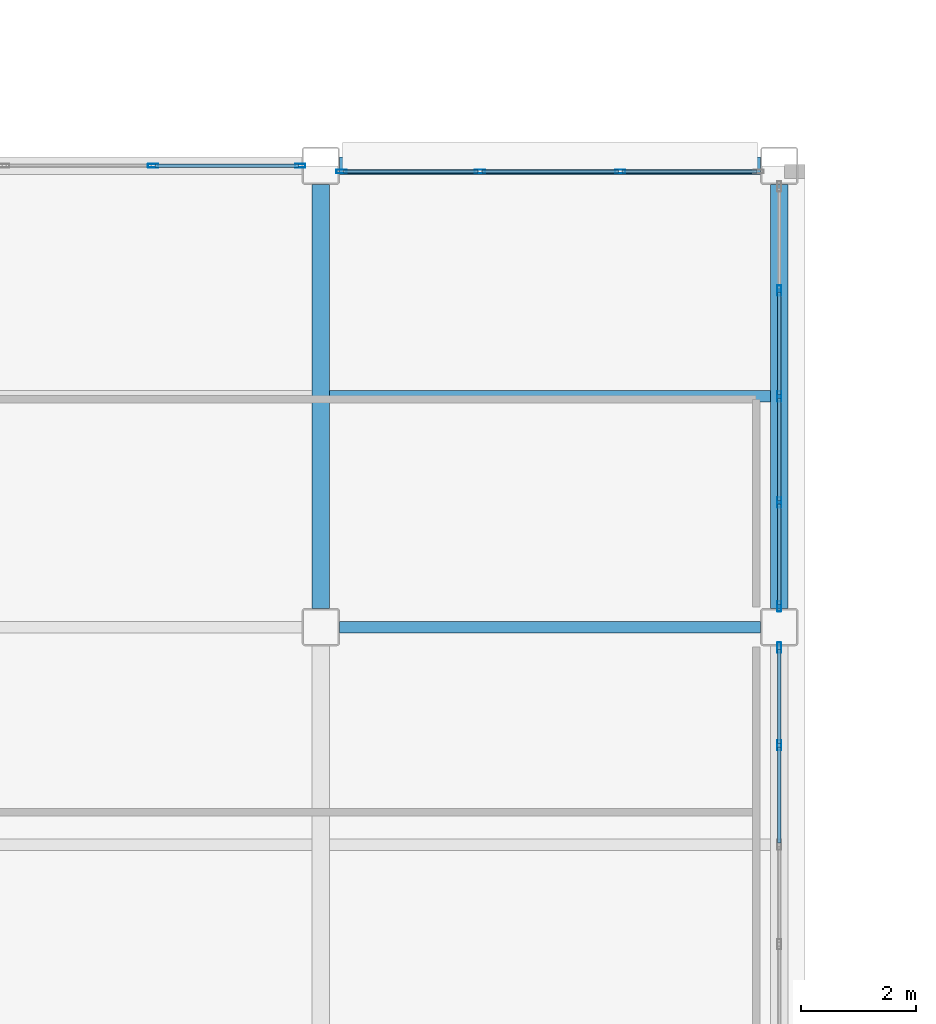
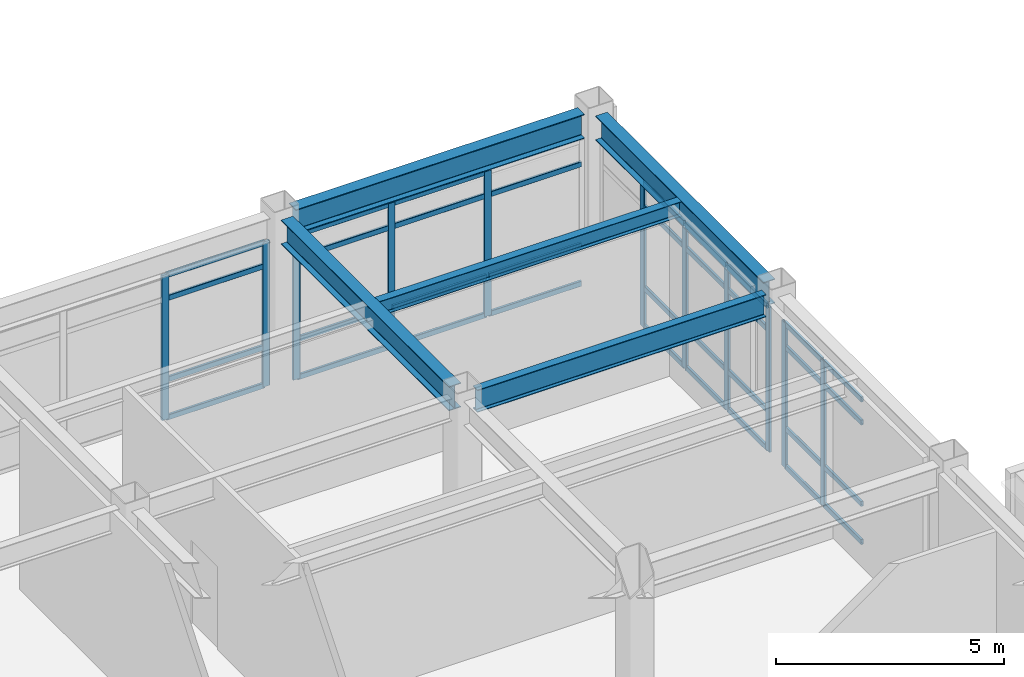
# One storey, part 61 of 172: 46 members, 5 beams, 4 elements without a shape of their own.
"""IFC4 building model written with IfcOpenShell, lengths in metres."""

import ifcopenshell
import ifcopenshell.guid

model = None  # the IFC model being written
_history = None  # IfcOwnerHistory: only IFC2X3 demands one
_inside = {}  # id of a spatial element -> (the spatial element, [elements in it])
_under = {}  # id of a project, library or spatial element -> (it, [spatial elements below it])
_declared = {}  # id of a project -> (the project, [libraries it declares])
_typed = {}  # id of a type object -> (the type object, [elements of that type])
_made_of = {}  # id of a material, layer set ... -> (it, [elements and type objects made of it])


def new_model(schema):
    """Start an empty IFC model of exactly this schema.

    Asked for "IFC4X3", IfcOpenShell would pick the latest addendum, in which some entities
    have other attributes; the version numbers below select the first issue.
    IFC2X3 requires an IfcOwnerHistory on every rooted entity: one is made here for all.
    """
    global model, _history
    if schema == "IFC4X3":
        model = ifcopenshell.file(schema_version=(4, 3, 0, 0))
    else:
        model = ifcopenshell.file(schema=schema)
    _inside.clear()
    _under.clear()
    _declared.clear()
    _typed.clear()
    _made_of.clear()
    _history = None
    if model.schema == "IFC2X3":
        org = make("IfcOrganization", Name="unknown")
        user = make(
            "IfcPersonAndOrganization",
            ThePerson=make("IfcPerson", FamilyName="unknown"),
            TheOrganization=org,
        )
        app = make(
            "IfcApplication",
            ApplicationDeveloper=org,
            Version="unknown",
            ApplicationFullName="unknown",
            ApplicationIdentifier="unknown",
        )
        _history = make(
            "IfcOwnerHistory",
            OwningUser=user,
            OwningApplication=app,
            ChangeAction="ADDED",
            CreationDate=0,
        )
    return model


def make(cls, **values):
    """One entity of the class cls with the attributes given. An attribute that is None is left unset."""
    return model.create_entity(
        cls, **{name: value for name, value in values.items() if value is not None}
    )


def rooted(cls, **values):
    """An entity with a GlobalId (a new one), such as an element, a storey or a relation."""
    return make(cls, GlobalId=ifcopenshell.guid.new(), OwnerHistory=_history, **values)


def si_unit(unit_type, name, prefix=None):
    """IfcSIUnit, for example si_unit("LENGTHUNIT", "METRE", prefix="MILLI")."""
    return make("IfcSIUnit", UnitType=unit_type, Prefix=prefix, Name=name)


def assignment(units):
    """IfcUnitAssignment: the units of a project."""
    return None if units is None else make("IfcUnitAssignment", Units=units)


def point(xyz):
    """IfcCartesianPoint."""
    return None if xyz is None else make("IfcCartesianPoint", Coordinates=xyz)


def direction(xyz):
    """IfcDirection."""
    return None if xyz is None else make("IfcDirection", DirectionRatios=xyz)


def frame(location, z_axis=None, x_axis=None):
    """IfcAxis2Placement3D, a coordinate frame: its origin and axes. An axis left out is left unset."""
    return make(
        "IfcAxis2Placement3D",
        Location=point(location),
        Axis=direction(z_axis),
        RefDirection=direction(x_axis),
    )


def frame_2d(location, x_axis=None):
    """IfcAxis2Placement2D, a coordinate frame in the plane: its origin and x axis."""
    return make(
        "IfcAxis2Placement2D", Location=point(location), RefDirection=direction(x_axis)
    )


def origin():
    """The frame at (0, 0, 0) with its axes left unset."""
    return frame((0.0, 0.0, 0.0))


def origin_2d():
    """The frame at (0, 0) in the plane with its x axis left unset."""
    return frame_2d((0.0, 0.0))


def place(relative_to, where):
    """IfcLocalPlacement: puts the frame where relative to a parent placement (None: the world)."""
    return make(
        "IfcLocalPlacement", PlacementRelTo=relative_to, RelativePlacement=where
    )


def context(
    kind, dimensions, precision=None, world=None, true_north=None, identifier=None
):
    """IfcGeometricRepresentationContext, for example the 3D "Model" context."""
    return make(
        "IfcGeometricRepresentationContext",
        ContextIdentifier=identifier,
        ContextType=kind,
        CoordinateSpaceDimension=dimensions,
        Precision=precision,
        WorldCoordinateSystem=world,
        TrueNorth=true_north,
    )


def subcontext(parent, identifier, kind, view, scale=None):
    """IfcGeometricRepresentationSubContext, for example "Body" below "Model"."""
    return make(
        "IfcGeometricRepresentationSubContext",
        ContextIdentifier=identifier,
        ContextType=kind,
        ParentContext=parent,
        TargetScale=scale,
        TargetView=view,
    )


def project(units=None, contexts=None):
    """IfcProject with its units and contexts."""
    return rooted(
        "IfcProject",
        Name="project",
        RepresentationContexts=contexts,
        UnitsInContext=assignment(units),
    )


def spatial(cls, under=None, at=None, **own):
    """A site, building, storey or space (cls), placed at a placement, below another one or the project."""
    s = rooted(cls, ObjectPlacement=at, **own)
    if under is not None:
        _under.setdefault(under.id(), (under, []))[1].append(s)
    return s


def profile(cls, at=None, kind="AREA", **sizes):
    """A parametric profile (cls). Its sizes go by their IFC names, for example OverallWidth=200.0."""
    return make(cls, ProfileType=kind, Position=at, **sizes)


def hollow_rectangle(**sizes):
    """IfcRectangleHollowProfileDef."""
    return profile("IfcRectangleHollowProfileDef", **sizes)


def i_section(**sizes):
    """IfcIShapeProfileDef."""
    return profile("IfcIShapeProfileDef", **sizes)


def extrude(swept, where, along, depth):
    """IfcExtrudedAreaSolid: the profile swept, set in the frame where, extruded along a direction by depth."""
    return make(
        "IfcExtrudedAreaSolid",
        SweptArea=swept,
        Position=where,
        ExtrudedDirection=direction(along),
        Depth=depth,
    )


def shape(context_of_items, identifier, shape_type, items):
    """IfcShapeRepresentation: the items that make up one representation, for example the "Body"."""
    return make(
        "IfcShapeRepresentation",
        ContextOfItems=context_of_items,
        RepresentationIdentifier=identifier,
        RepresentationType=shape_type,
        Items=items,
    )


def material(Name=None, Category=None):
    """IfcMaterial."""
    return make("IfcMaterial", Name=Name, Category=Category)


def layer(
    of_material, thickness, ventilated=None, Name=None, Category=None, Priority=None
):
    """IfcMaterialLayer: one layer of a wall or slab, of a material (None: an air gap)."""
    return make(
        "IfcMaterialLayer",
        Material=of_material,
        LayerThickness=thickness,
        IsVentilated=ventilated,
        Name=Name,
        Category=Category,
        Priority=Priority,
    )


def layer_set(layers, Name=None):
    """IfcMaterialLayerSet."""
    return make("IfcMaterialLayerSet", MaterialLayers=layers, LayerSetName=Name)


def material_profile(
    of_material, cross_section, Name=None, Category=None, Priority=None
):
    """IfcMaterialProfile: a cross section and its material."""
    return make(
        "IfcMaterialProfile",
        Name=Name,
        Material=of_material,
        Profile=cross_section,
        Priority=Priority,
        Category=Category,
    )


def profile_set(profiles, Name=None, composite=None):
    """IfcMaterialProfileSet."""
    return make(
        "IfcMaterialProfileSet",
        Name=Name,
        MaterialProfiles=profiles,
        CompositeProfile=composite,
    )


def made_of(thing, what):
    """Note that an element or type object is made of a material, layer set ...; save() writes the relation."""
    if what is not None:
        _made_of.setdefault(what.id(), (what, []))[1].append(thing)
    return thing


def type_object(cls, material=None, **own):
    """A type object (cls), such as IfcWallType, which elements share."""
    return made_of(rooted(cls, **own), material)


def element(
    cls,
    number,
    at=None,
    inside=None,
    cuts=None,
    type_object=None,
    material=None,
    context=None,
    identifier="Body",
    shape_type=None,
    held_by="IfcProductDefinitionShape",
    body=None,
    shapes=None,
    **own,
):
    """One element of the class cls, such as IfcWall. Its Tag is "e" and its number.

    at: its placement. inside: the storey or other place that contains it. cuts: it is an
    opening in that element (IfcRelVoidsElement). A single representation is given by context,
    identifier, shape_type and body (its items); several are given by shapes. held_by: the class
    of the entity that holds the representations. save() writes the other relations.
    """
    e = rooted(cls, Tag="e%d" % number, ObjectPlacement=at, **own)
    if body is not None:
        shapes = [shape(context, identifier, shape_type, body)]
    if shapes is not None:
        e.Representation = make(held_by, Representations=shapes)
    if inside is not None:
        _inside.setdefault(inside.id(), (inside, []))[1].append(e)
    if cuts is not None:
        rooted(
            "IfcRelVoidsElement", RelatingBuildingElement=cuts, RelatedOpeningElement=e
        )
    if type_object is not None:
        _typed.setdefault(type_object.id(), (type_object, []))[1].append(e)
    return made_of(e, material)


def aggregate(whole, parts):
    """IfcRelAggregates: a whole, such as a stair, and the parts it consists of."""
    return rooted("IfcRelAggregates", RelatingObject=whole, RelatedObjects=parts)


def save(model, path):
    """Write the relations noted so far, then the file.

    IfcRelAggregates (storeys below a building ...), IfcRelContainedInSpatialStructure (elements
    in a storey), IfcRelDefinesByType, IfcRelAssociatesMaterial and IfcRelDeclares: one each for
    every whole, place, type object, material and project.
    """
    for whole, parts in _under.values():
        aggregate(whole, parts)
    for where, things in _inside.values():
        rooted(
            "IfcRelContainedInSpatialStructure",
            RelatedElements=things,
            RelatingStructure=where,
        )
    for kind, things in _typed.values():
        rooted("IfcRelDefinesByType", RelatedObjects=things, RelatingType=kind)
    for what, things in _made_of.values():
        rooted("IfcRelAssociatesMaterial", RelatedObjects=things, RelatingMaterial=what)
    for by, libraries in _declared.values():
        rooted("IfcRelDeclares", RelatingContext=by, RelatedDefinitions=libraries)
    model.write(path)


model = new_model("IFC4")

# Units and contexts
model_context = context("Model", 3, precision=1e-05, world=origin(), true_north=direction((0.0, 1.0)))
body_context = subcontext(model_context, "Body", "Model", "MODEL_VIEW")
ifc_project = project(units=[si_unit("LENGTHUNIT", "METRE"), si_unit("AREAUNIT", "SQUARE_METRE"), si_unit("VOLUMEUNIT", "CUBIC_METRE"), si_unit("PLANEANGLEUNIT", "RADIAN"), si_unit("MASSUNIT", "GRAM", prefix="KILO")], contexts=[model_context])

# Site, building, storey
site_placement = place(None, origin())
site = spatial("IfcSite", under=ifc_project, at=site_placement, CompositionType="ELEMENT")
building_placement = place(site_placement, origin())
building = spatial("IfcBuilding", under=site, at=building_placement, Name="Kazehara Bluff Congress Hotel", CompositionType="ELEMENT")
storey_placement = place(building_placement, frame((0.0, 0.0, 5.39990234375)))
storey = spatial("IfcBuildingStorey", under=building, at=storey_placement, Name="L01", CompositionType="ELEMENT", Elevation=5.39990234375)

# Curtain wall, members
ifc_material_1 = material(Name="Anodised aluminium", Category="aluminium")
ifc_layer_1 = layer(ifc_material_1, 0.159912109375)
ifc_layer_set_1 = layer_set([ifc_layer_1], Name="Anodised aluminium")
curtain_wall_type_1 = type_object("IfcCurtainWallType", Name="TP-CW-55", PredefinedType="NOTDEFINED", material=ifc_layer_set_1)
curtain_wall_1_placement = place(storey_placement, origin())
curtain_wall_1 = element("IfcCurtainWall", 1, at=curtain_wall_1_placement, inside=storey, type_object=curtain_wall_type_1, Name="L01 curtain wall CW-55 CW-V4-L01-X10920-4122", PredefinedType="NOTDEFINED")
ifc_material_2 = material(Name="Anodised aluminium", Category="aluminium")
ifc_material_profile_1 = material_profile(ifc_material_2, hollow_rectangle(XDim=0.06494140625, YDim=0.179931640625, WallThickness=0.00390625, InnerFilletRadius=0.00390625, OuterFilletRadius=0.008056640625, at=origin_2d()))
ifc_profile_set_1 = profile_set([ifc_material_profile_1], Name="Anodised aluminium")
member_type_1 = type_object("IfcMemberType", Name="TP-CWM-02", PredefinedType="MULLION", material=ifc_profile_set_1)
member_1_placement = place(storey_placement, frame((109.199951171875, 46.39990234375, 0.0), z_axis=(0.0, 0.0, 1.0), x_axis=(-1.0, 0.0, 0.0)))
member_1 = element("IfcMember", 2, at=member_1_placement, type_object=member_type_1, Name="CW-55 mullion 4", PredefinedType="MULLION", context=body_context, shape_type="SweptSolid", body=[
    extrude(hollow_rectangle(XDim=0.06494140625, YDim=0.179931640625, WallThickness=0.00390625, InnerFilletRadius=0.00390625, OuterFilletRadius=0.008056640625, at=origin_2d()), origin(), (0.0, 0.0, 1.0), 3.875),
])
member_2_placement = place(storey_placement, frame((109.199951171875, 48.092529296875, 0.0), z_axis=(0.0, 0.0, 1.0), x_axis=(-1.0, 0.0, 0.0)))
member_2 = element("IfcMember", 3, at=member_2_placement, type_object=member_type_1, Name="CW-55 mullion 5", PredefinedType="MULLION", context=body_context, shape_type="SweptSolid", body=[
    extrude(hollow_rectangle(XDim=0.06494140625, YDim=0.179931640625, WallThickness=0.00390625, InnerFilletRadius=0.00390625, OuterFilletRadius=0.008056640625, at=origin_2d()), origin(), (0.0, 0.0, 1.0), 3.875),
])

ifc_material_3 = material(Name="Anodised aluminium", Category="aluminium")
ifc_layer_2 = layer(ifc_material_3, 0.159912109375)
ifc_layer_set_2 = layer_set([ifc_layer_2], Name="Anodised aluminium")
curtain_wall_type_2 = type_object("IfcCurtainWallType", Name="TP-CW-56", PredefinedType="NOTDEFINED", material=ifc_layer_set_2)
curtain_wall_2_placement = place(storey_placement, origin())
curtain_wall_2 = element("IfcCurtainWall", 4, at=curtain_wall_2_placement, inside=storey, type_object=curtain_wall_type_2, Name="L01 curtain wall CW-56 CW-V4-L01-X10920-4878", PredefinedType="NOTDEFINED")
member_3_placement = place(storey_placement, frame((109.199951171875, 48.8076171875, 0.0), z_axis=(0.0, 0.0, 1.0), x_axis=(-1.0, 0.0, 0.0)))
member_3 = element("IfcMember", 5, at=member_3_placement, type_object=member_type_1, Name="CW-56 mullion 1", PredefinedType="MULLION", context=body_context, shape_type="SweptSolid", body=[
    extrude(hollow_rectangle(XDim=0.06494140625, YDim=0.179931640625, WallThickness=0.00390625, InnerFilletRadius=0.00390625, OuterFilletRadius=0.008056640625, at=origin_2d()), origin(), (0.0, 0.0, 1.0), 3.875),
])
member_4_placement = place(storey_placement, frame((109.199951171875, 50.612548828125, 0.0), z_axis=(0.0, 0.0, 1.0), x_axis=(-1.0, 0.0, 0.0)))
member_4 = element("IfcMember", 6, at=member_4_placement, type_object=member_type_1, Name="CW-56 mullion 2", PredefinedType="MULLION", context=body_context, shape_type="SweptSolid", body=[
    extrude(hollow_rectangle(XDim=0.06494140625, YDim=0.179931640625, WallThickness=0.00390625, InnerFilletRadius=0.00390625, OuterFilletRadius=0.008056640625, at=origin_2d()), origin(), (0.0, 0.0, 1.0), 3.875),
])
member_5_placement = place(storey_placement, frame((109.199951171875, 52.449951171875, 0.0), z_axis=(0.0, 0.0, 1.0), x_axis=(-1.0, 0.0, 0.0)))
member_5 = element("IfcMember", 7, at=member_5_placement, type_object=member_type_1, Name="CW-56 mullion 3", PredefinedType="MULLION", context=body_context, shape_type="SweptSolid", body=[
    extrude(hollow_rectangle(XDim=0.06494140625, YDim=0.179931640625, WallThickness=0.00390625, InnerFilletRadius=0.00390625, OuterFilletRadius=0.008056640625, at=origin_2d()), origin(), (0.0, 0.0, 1.0), 3.875),
])
member_6_placement = place(storey_placement, frame((109.199951171875, 54.28759765625, 0.0), z_axis=(0.0, 0.0, 1.0), x_axis=(-1.0, 0.0, 0.0)))
member_6 = element("IfcMember", 8, at=member_6_placement, type_object=member_type_1, Name="CW-56 mullion 4", PredefinedType="MULLION", context=body_context, shape_type="SweptSolid", body=[
    extrude(hollow_rectangle(XDim=0.06494140625, YDim=0.179931640625, WallThickness=0.00390625, InnerFilletRadius=0.00390625, OuterFilletRadius=0.008056640625, at=origin_2d()), origin(), (0.0, 0.0, 1.0), 3.875),
])

ifc_material_4 = material(Name="Anodised aluminium", Category="aluminium")
ifc_layer_3 = layer(ifc_material_4, 0.159912109375)
ifc_layer_set_3 = layer_set([ifc_layer_3], Name="Anodised aluminium")
curtain_wall_type_3 = type_object("IfcCurtainWallType", Name="TP-CW-24", PredefinedType="NOTDEFINED", material=ifc_layer_set_3)
curtain_wall_3_placement = place(storey_placement, origin())
curtain_wall_3 = element("IfcCurtainWall", 9, at=curtain_wall_3_placement, inside=storey, type_object=curtain_wall_type_3, Name="L01 curtain wall CW-24 CW-V4-L01-Y5645-9318", PredefinedType="NOTDEFINED")
member_7_placement = place(storey_placement, frame((98.341552734375, 56.449951171875, 0.0), z_axis=(0.0, 0.0, 1.0), x_axis=(0.0, 1.0, 0.0)))
member_7 = element("IfcMember", 10, at=member_7_placement, type_object=member_type_1, Name="CW-24 mullion 3", PredefinedType="MULLION", context=body_context, shape_type="SweptSolid", body=[
    extrude(hollow_rectangle(XDim=0.06494140625, YDim=0.179931640625, WallThickness=0.00390625, InnerFilletRadius=0.00390625, OuterFilletRadius=0.008056640625, at=origin_2d()), origin(), (0.0, 0.0, 1.0), 3.875),
])
member_8_placement = place(storey_placement, frame((100.892578125, 56.449951171875, 0.0), z_axis=(0.0, 0.0, 1.0), x_axis=(0.0, 1.0, 0.0)))
member_8 = element("IfcMember", 11, at=member_8_placement, type_object=member_type_1, Name="CW-24 mullion 4", PredefinedType="MULLION", context=body_context, shape_type="SweptSolid", body=[
    extrude(hollow_rectangle(XDim=0.06494140625, YDim=0.179931640625, WallThickness=0.00390625, InnerFilletRadius=0.00390625, OuterFilletRadius=0.008056640625, at=origin_2d()), origin(), (0.0, 0.0, 1.0), 3.875),
])

ifc_material_5 = material(Name="Anodised aluminium", Category="aluminium")
ifc_layer_4 = layer(ifc_material_5, 0.159912109375)
ifc_layer_set_4 = layer_set([ifc_layer_4], Name="Anodised aluminium")
curtain_wall_type_4 = type_object("IfcCurtainWallType", Name="TP-CW-80", PredefinedType="NOTDEFINED", material=ifc_layer_set_4)
curtain_wall_4_placement = place(storey_placement, origin())
curtain_wall_4 = element("IfcCurtainWall", 12, at=curtain_wall_4_placement, inside=storey, type_object=curtain_wall_type_4, Name="L01 curtain wall CW-80 CW-ENC-V4-L01-10522-5635", PredefinedType="NOTDEFINED")
member_9_placement = place(storey_placement, frame((101.607421875, 56.35009765625, 0.0), z_axis=(0.0, 0.0, 1.0), x_axis=(0.0, 1.0, 0.0)))
member_9 = element("IfcMember", 13, at=member_9_placement, type_object=member_type_1, Name="CW-80 mullion 1", PredefinedType="MULLION", context=body_context, shape_type="SweptSolid", body=[
    extrude(hollow_rectangle(XDim=0.06494140625, YDim=0.179931640625, WallThickness=0.00390625, InnerFilletRadius=0.00390625, OuterFilletRadius=0.008056640625, at=origin_2d()), origin(), (0.0, 0.0, 1.0), 3.875),
])
member_10_placement = place(storey_placement, frame((104.00830078125, 56.35009765625, 0.0), z_axis=(0.0, 0.0, 1.0), x_axis=(0.0, 1.0, 0.0)))
member_10 = element("IfcMember", 14, at=member_10_placement, type_object=member_type_1, Name="CW-80 mullion 2", PredefinedType="MULLION", context=body_context, shape_type="SweptSolid", body=[
    extrude(hollow_rectangle(XDim=0.06494140625, YDim=0.179931640625, WallThickness=0.00390625, InnerFilletRadius=0.00390625, OuterFilletRadius=0.008056640625, at=origin_2d()), origin(), (0.0, 0.0, 1.0), 3.875),
])
member_11_placement = place(storey_placement, frame((106.441650390625, 56.35009765625, 0.0), z_axis=(0.0, 0.0, 1.0), x_axis=(0.0, 1.0, 0.0)))
member_11 = element("IfcMember", 15, at=member_11_placement, type_object=member_type_1, Name="CW-80 mullion 3", PredefinedType="MULLION", context=body_context, shape_type="SweptSolid", body=[
    extrude(hollow_rectangle(XDim=0.06494140625, YDim=0.179931640625, WallThickness=0.00390625, InnerFilletRadius=0.00390625, OuterFilletRadius=0.008056640625, at=origin_2d()), origin(), (0.0, 0.0, 1.0), 3.875),
])

# Member
ifc_material_6 = material(Name="Anodised aluminium", Category="aluminium")
ifc_material_profile_2 = material_profile(ifc_material_6, hollow_rectangle(XDim=0.06494140625, YDim=0.139892578125, WallThickness=0.00390625, InnerFilletRadius=0.00390625, OuterFilletRadius=0.008056640625, at=origin_2d()))
ifc_profile_set_2 = profile_set([ifc_material_profile_2], Name="Anodised aluminium")
member_type_2 = type_object("IfcMemberType", Name="TP-CWT-02", PredefinedType="USERDEFINED", material=ifc_profile_set_2)
member_12_placement = place(storey_placement, frame((109.199951171875, 44.70751953125, 0.03271484375), z_axis=(0.0, 1.0, 0.0), x_axis=(-1.0, 0.0, 0.0)))
member_12 = element("IfcMember", 16, at=member_12_placement, type_object=member_type_2, Name="CW-55 transom 3.1", ObjectType="TRANSOM", PredefinedType="USERDEFINED", context=body_context, shape_type="SweptSolid", body=[
    extrude(hollow_rectangle(XDim=0.06494140625, YDim=0.139892578125, WallThickness=0.00390625, InnerFilletRadius=0.00390625, OuterFilletRadius=0.008056640625, at=origin_2d()), origin(), (0.0, 0.0, 1.0), 1.659912109375),
])

member_13_placement = place(storey_placement, frame((109.199951171875, 44.70751953125, 1.050048828125), z_axis=(0.0, 1.0, 0.0), x_axis=(-1.0, 0.0, 0.0)))
member_13 = element("IfcMember", 17, at=member_13_placement, type_object=member_type_2, Name="CW-55 transom 3.2", ObjectType="TRANSOM", PredefinedType="USERDEFINED", context=body_context, shape_type="SweptSolid", body=[
    extrude(hollow_rectangle(XDim=0.06494140625, YDim=0.139892578125, WallThickness=0.00390625, InnerFilletRadius=0.00390625, OuterFilletRadius=0.008056640625, at=origin_2d()), origin(), (0.0, 0.0, 1.0), 1.659912109375),
])

member_14_placement = place(storey_placement, frame((109.199951171875, 44.70751953125, 3.22509765625), z_axis=(0.0, 1.0, 0.0), x_axis=(-1.0, 0.0, 0.0)))
member_14 = element("IfcMember", 18, at=member_14_placement, type_object=member_type_2, Name="CW-55 transom 3.3", ObjectType="TRANSOM", PredefinedType="USERDEFINED", context=body_context, shape_type="SweptSolid", body=[
    extrude(hollow_rectangle(XDim=0.06494140625, YDim=0.139892578125, WallThickness=0.00390625, InnerFilletRadius=0.00390625, OuterFilletRadius=0.008056640625, at=origin_2d()), origin(), (0.0, 0.0, 1.0), 1.659912109375),
])

member_15_placement = place(storey_placement, frame((109.199951171875, 44.70751953125, 3.842529296875), z_axis=(0.0, 1.0, 0.0), x_axis=(-1.0, 0.0, 0.0)))
member_15 = element("IfcMember", 19, at=member_15_placement, type_object=member_type_2, Name="CW-55 transom 3.4", ObjectType="TRANSOM", PredefinedType="USERDEFINED", context=body_context, shape_type="SweptSolid", body=[
    extrude(hollow_rectangle(XDim=0.06494140625, YDim=0.139892578125, WallThickness=0.00390625, InnerFilletRadius=0.00390625, OuterFilletRadius=0.008056640625, at=origin_2d()), origin(), (0.0, 0.0, 1.0), 1.659912109375),
])

member_16_placement = place(storey_placement, frame((109.199951171875, 46.4326171875, 0.03271484375), z_axis=(0.0, 1.0, 0.0), x_axis=(-1.0, 0.0, 0.0)))
member_16 = element("IfcMember", 20, at=member_16_placement, type_object=member_type_2, Name="CW-55 transom 4.1", ObjectType="TRANSOM", PredefinedType="USERDEFINED", context=body_context, shape_type="SweptSolid", body=[
    extrude(hollow_rectangle(XDim=0.06494140625, YDim=0.139892578125, WallThickness=0.00390625, InnerFilletRadius=0.00390625, OuterFilletRadius=0.008056640625, at=origin_2d()), origin(), (0.0, 0.0, 1.0), 1.62744140625),
])

member_17_placement = place(storey_placement, frame((109.199951171875, 46.4326171875, 1.050048828125), z_axis=(0.0, 1.0, 0.0), x_axis=(-1.0, 0.0, 0.0)))
member_17 = element("IfcMember", 21, at=member_17_placement, type_object=member_type_2, Name="CW-55 transom 4.2", ObjectType="TRANSOM", PredefinedType="USERDEFINED", context=body_context, shape_type="SweptSolid", body=[
    extrude(hollow_rectangle(XDim=0.06494140625, YDim=0.139892578125, WallThickness=0.00390625, InnerFilletRadius=0.00390625, OuterFilletRadius=0.008056640625, at=origin_2d()), origin(), (0.0, 0.0, 1.0), 1.62744140625),
])

member_18_placement = place(storey_placement, frame((109.199951171875, 46.4326171875, 3.22509765625), z_axis=(0.0, 1.0, 0.0), x_axis=(-1.0, 0.0, 0.0)))
member_18 = element("IfcMember", 22, at=member_18_placement, type_object=member_type_2, Name="CW-55 transom 4.3", ObjectType="TRANSOM", PredefinedType="USERDEFINED", context=body_context, shape_type="SweptSolid", body=[
    extrude(hollow_rectangle(XDim=0.06494140625, YDim=0.139892578125, WallThickness=0.00390625, InnerFilletRadius=0.00390625, OuterFilletRadius=0.008056640625, at=origin_2d()), origin(), (0.0, 0.0, 1.0), 1.62744140625),
])

member_19_placement = place(storey_placement, frame((109.199951171875, 46.4326171875, 3.842529296875), z_axis=(0.0, 1.0, 0.0), x_axis=(-1.0, 0.0, 0.0)))
member_19 = element("IfcMember", 23, at=member_19_placement, type_object=member_type_2, Name="CW-55 transom 4.4", ObjectType="TRANSOM", PredefinedType="USERDEFINED", context=body_context, shape_type="SweptSolid", body=[
    extrude(hollow_rectangle(XDim=0.06494140625, YDim=0.139892578125, WallThickness=0.00390625, InnerFilletRadius=0.00390625, OuterFilletRadius=0.008056640625, at=origin_2d()), origin(), (0.0, 0.0, 1.0), 1.62744140625),
])

aggregate(curtain_wall_1, [member_1, member_2, member_12, member_13, member_14, member_15, member_16, member_17, member_18, member_19])

member_20_placement = place(storey_placement, frame((109.199951171875, 48.840087890625, 0.03271484375), z_axis=(0.0, 1.0, 0.0), x_axis=(-1.0, 0.0, 0.0)))
member_20 = element("IfcMember", 24, at=member_20_placement, type_object=member_type_2, Name="CW-56 transom 1.1", ObjectType="TRANSOM", PredefinedType="USERDEFINED", context=body_context, shape_type="SweptSolid", body=[
    extrude(hollow_rectangle(XDim=0.06494140625, YDim=0.139892578125, WallThickness=0.00390625, InnerFilletRadius=0.00390625, OuterFilletRadius=0.008056640625, at=origin_2d()), origin(), (0.0, 0.0, 1.0), 1.739990234375),
])

member_21_placement = place(storey_placement, frame((109.199951171875, 48.840087890625, 1.050048828125), z_axis=(0.0, 1.0, 0.0), x_axis=(-1.0, 0.0, 0.0)))
member_21 = element("IfcMember", 25, at=member_21_placement, type_object=member_type_2, Name="CW-56 transom 1.2", ObjectType="TRANSOM", PredefinedType="USERDEFINED", context=body_context, shape_type="SweptSolid", body=[
    extrude(hollow_rectangle(XDim=0.06494140625, YDim=0.139892578125, WallThickness=0.00390625, InnerFilletRadius=0.00390625, OuterFilletRadius=0.008056640625, at=origin_2d()), origin(), (0.0, 0.0, 1.0), 1.739990234375),
])

member_22_placement = place(storey_placement, frame((109.199951171875, 48.840087890625, 3.22509765625), z_axis=(0.0, 1.0, 0.0), x_axis=(-1.0, 0.0, 0.0)))
member_22 = element("IfcMember", 26, at=member_22_placement, type_object=member_type_2, Name="CW-56 transom 1.3", ObjectType="TRANSOM", PredefinedType="USERDEFINED", context=body_context, shape_type="SweptSolid", body=[
    extrude(hollow_rectangle(XDim=0.06494140625, YDim=0.139892578125, WallThickness=0.00390625, InnerFilletRadius=0.00390625, OuterFilletRadius=0.008056640625, at=origin_2d()), origin(), (0.0, 0.0, 1.0), 1.739990234375),
])

member_23_placement = place(storey_placement, frame((109.199951171875, 48.840087890625, 3.842529296875), z_axis=(0.0, 1.0, 0.0), x_axis=(-1.0, 0.0, 0.0)))
member_23 = element("IfcMember", 27, at=member_23_placement, type_object=member_type_2, Name="CW-56 transom 1.4", ObjectType="TRANSOM", PredefinedType="USERDEFINED", context=body_context, shape_type="SweptSolid", body=[
    extrude(hollow_rectangle(XDim=0.06494140625, YDim=0.139892578125, WallThickness=0.00390625, InnerFilletRadius=0.00390625, OuterFilletRadius=0.008056640625, at=origin_2d()), origin(), (0.0, 0.0, 1.0), 1.739990234375),
])

member_24_placement = place(storey_placement, frame((109.199951171875, 50.64501953125, 0.03271484375), z_axis=(0.0, 1.0, 0.0), x_axis=(-1.0, 0.0, 0.0)))
member_24 = element("IfcMember", 28, at=member_24_placement, type_object=member_type_2, Name="CW-56 transom 2.1", ObjectType="TRANSOM", PredefinedType="USERDEFINED", context=body_context, shape_type="SweptSolid", body=[
    extrude(hollow_rectangle(XDim=0.06494140625, YDim=0.139892578125, WallThickness=0.00390625, InnerFilletRadius=0.00390625, OuterFilletRadius=0.008056640625, at=origin_2d()), origin(), (0.0, 0.0, 1.0), 1.7724609375),
])

member_25_placement = place(storey_placement, frame((109.199951171875, 50.64501953125, 1.050048828125), z_axis=(0.0, 1.0, 0.0), x_axis=(-1.0, 0.0, 0.0)))
member_25 = element("IfcMember", 29, at=member_25_placement, type_object=member_type_2, Name="CW-56 transom 2.2", ObjectType="TRANSOM", PredefinedType="USERDEFINED", context=body_context, shape_type="SweptSolid", body=[
    extrude(hollow_rectangle(XDim=0.06494140625, YDim=0.139892578125, WallThickness=0.00390625, InnerFilletRadius=0.00390625, OuterFilletRadius=0.008056640625, at=origin_2d()), origin(), (0.0, 0.0, 1.0), 1.7724609375),
])

member_26_placement = place(storey_placement, frame((109.199951171875, 50.64501953125, 3.22509765625), z_axis=(0.0, 1.0, 0.0), x_axis=(-1.0, 0.0, 0.0)))
member_26 = element("IfcMember", 30, at=member_26_placement, type_object=member_type_2, Name="CW-56 transom 2.3", ObjectType="TRANSOM", PredefinedType="USERDEFINED", context=body_context, shape_type="SweptSolid", body=[
    extrude(hollow_rectangle(XDim=0.06494140625, YDim=0.139892578125, WallThickness=0.00390625, InnerFilletRadius=0.00390625, OuterFilletRadius=0.008056640625, at=origin_2d()), origin(), (0.0, 0.0, 1.0), 1.7724609375),
])

member_27_placement = place(storey_placement, frame((109.199951171875, 50.64501953125, 3.842529296875), z_axis=(0.0, 1.0, 0.0), x_axis=(-1.0, 0.0, 0.0)))
member_27 = element("IfcMember", 31, at=member_27_placement, type_object=member_type_2, Name="CW-56 transom 2.4", ObjectType="TRANSOM", PredefinedType="USERDEFINED", context=body_context, shape_type="SweptSolid", body=[
    extrude(hollow_rectangle(XDim=0.06494140625, YDim=0.139892578125, WallThickness=0.00390625, InnerFilletRadius=0.00390625, OuterFilletRadius=0.008056640625, at=origin_2d()), origin(), (0.0, 0.0, 1.0), 1.7724609375),
])

member_28_placement = place(storey_placement, frame((109.199951171875, 52.482421875, 0.03271484375), z_axis=(0.0, 1.0, 0.0), x_axis=(-1.0, 0.0, 0.0)))
member_28 = element("IfcMember", 32, at=member_28_placement, type_object=member_type_2, Name="CW-56 transom 3.1", ObjectType="TRANSOM", PredefinedType="USERDEFINED", context=body_context, shape_type="SweptSolid", body=[
    extrude(hollow_rectangle(XDim=0.06494140625, YDim=0.139892578125, WallThickness=0.00390625, InnerFilletRadius=0.00390625, OuterFilletRadius=0.008056640625, at=origin_2d()), origin(), (0.0, 0.0, 1.0), 1.7724609375),
])

member_29_placement = place(storey_placement, frame((109.199951171875, 52.482421875, 1.050048828125), z_axis=(0.0, 1.0, 0.0), x_axis=(-1.0, 0.0, 0.0)))
member_29 = element("IfcMember", 33, at=member_29_placement, type_object=member_type_2, Name="CW-56 transom 3.2", ObjectType="TRANSOM", PredefinedType="USERDEFINED", context=body_context, shape_type="SweptSolid", body=[
    extrude(hollow_rectangle(XDim=0.06494140625, YDim=0.139892578125, WallThickness=0.00390625, InnerFilletRadius=0.00390625, OuterFilletRadius=0.008056640625, at=origin_2d()), origin(), (0.0, 0.0, 1.0), 1.7724609375),
])

member_30_placement = place(storey_placement, frame((109.199951171875, 52.482421875, 3.22509765625), z_axis=(0.0, 1.0, 0.0), x_axis=(-1.0, 0.0, 0.0)))
member_30 = element("IfcMember", 34, at=member_30_placement, type_object=member_type_2, Name="CW-56 transom 3.3", ObjectType="TRANSOM", PredefinedType="USERDEFINED", context=body_context, shape_type="SweptSolid", body=[
    extrude(hollow_rectangle(XDim=0.06494140625, YDim=0.139892578125, WallThickness=0.00390625, InnerFilletRadius=0.00390625, OuterFilletRadius=0.008056640625, at=origin_2d()), origin(), (0.0, 0.0, 1.0), 1.7724609375),
])

member_31_placement = place(storey_placement, frame((109.199951171875, 52.482421875, 3.842529296875), z_axis=(0.0, 1.0, 0.0), x_axis=(-1.0, 0.0, 0.0)))
member_31 = element("IfcMember", 35, at=member_31_placement, type_object=member_type_2, Name="CW-56 transom 3.4", ObjectType="TRANSOM", PredefinedType="USERDEFINED", context=body_context, shape_type="SweptSolid", body=[
    extrude(hollow_rectangle(XDim=0.06494140625, YDim=0.139892578125, WallThickness=0.00390625, InnerFilletRadius=0.00390625, OuterFilletRadius=0.008056640625, at=origin_2d()), origin(), (0.0, 0.0, 1.0), 1.7724609375),
])

aggregate(curtain_wall_2, [member_3, member_4, member_5, member_6, member_20, member_21, member_22, member_23, member_24, member_25, member_26, member_27, member_28, member_29, member_30, member_31])

member_32_placement = place(storey_placement, frame((98.374267578125, 56.449951171875, 0.03271484375), z_axis=(1.0, 0.0, 0.0), x_axis=(0.0, 1.0, 0.0)))
member_32 = element("IfcMember", 36, at=member_32_placement, type_object=member_type_2, Name="CW-24 transom 3.1", ObjectType="TRANSOM", PredefinedType="USERDEFINED", context=body_context, shape_type="SweptSolid", body=[
    extrude(hollow_rectangle(XDim=0.06494140625, YDim=0.139892578125, WallThickness=0.00390625, InnerFilletRadius=0.00390625, OuterFilletRadius=0.008056640625, at=origin_2d()), origin(), (0.0, 0.0, 1.0), 2.48583984375),
])

member_33_placement = place(storey_placement, frame((98.374267578125, 56.449951171875, 1.050048828125), z_axis=(1.0, 0.0, 0.0), x_axis=(0.0, 1.0, 0.0)))
member_33 = element("IfcMember", 37, at=member_33_placement, type_object=member_type_2, Name="CW-24 transom 3.2", ObjectType="TRANSOM", PredefinedType="USERDEFINED", context=body_context, shape_type="SweptSolid", body=[
    extrude(hollow_rectangle(XDim=0.06494140625, YDim=0.139892578125, WallThickness=0.00390625, InnerFilletRadius=0.00390625, OuterFilletRadius=0.008056640625, at=origin_2d()), origin(), (0.0, 0.0, 1.0), 2.48583984375),
])

member_34_placement = place(storey_placement, frame((98.374267578125, 56.449951171875, 3.22509765625), z_axis=(1.0, 0.0, 0.0), x_axis=(0.0, 1.0, 0.0)))
member_34 = element("IfcMember", 38, at=member_34_placement, type_object=member_type_2, Name="CW-24 transom 3.3", ObjectType="TRANSOM", PredefinedType="USERDEFINED", context=body_context, shape_type="SweptSolid", body=[
    extrude(hollow_rectangle(XDim=0.06494140625, YDim=0.139892578125, WallThickness=0.00390625, InnerFilletRadius=0.00390625, OuterFilletRadius=0.008056640625, at=origin_2d()), origin(), (0.0, 0.0, 1.0), 2.48583984375),
])

member_35_placement = place(storey_placement, frame((98.374267578125, 56.449951171875, 3.842529296875), z_axis=(1.0, 0.0, 0.0), x_axis=(0.0, 1.0, 0.0)))
member_35 = element("IfcMember", 39, at=member_35_placement, type_object=member_type_2, Name="CW-24 transom 3.4", ObjectType="TRANSOM", PredefinedType="USERDEFINED", context=body_context, shape_type="SweptSolid", body=[
    extrude(hollow_rectangle(XDim=0.06494140625, YDim=0.139892578125, WallThickness=0.00390625, InnerFilletRadius=0.00390625, OuterFilletRadius=0.008056640625, at=origin_2d()), origin(), (0.0, 0.0, 1.0), 2.48583984375),
])

aggregate(curtain_wall_3, [member_7, member_8, member_32, member_33, member_34, member_35])

member_36_placement = place(storey_placement, frame((101.639892578125, 56.35009765625, 0.03271484375), z_axis=(1.0, 0.0, 0.0), x_axis=(0.0, 1.0, 0.0)))
member_36 = element("IfcMember", 40, at=member_36_placement, type_object=member_type_2, Name="CW-80 transom 1.1", ObjectType="TRANSOM", PredefinedType="USERDEFINED", context=body_context, shape_type="SweptSolid", body=[
    extrude(hollow_rectangle(XDim=0.06494140625, YDim=0.139892578125, WallThickness=0.00390625, InnerFilletRadius=0.00390625, OuterFilletRadius=0.008056640625, at=origin_2d()), origin(), (0.0, 0.0, 1.0), 2.3359375),
])

member_37_placement = place(storey_placement, frame((101.639892578125, 56.35009765625, 1.050048828125), z_axis=(1.0, 0.0, 0.0), x_axis=(0.0, 1.0, 0.0)))
member_37 = element("IfcMember", 41, at=member_37_placement, type_object=member_type_2, Name="CW-80 transom 1.2", ObjectType="TRANSOM", PredefinedType="USERDEFINED", context=body_context, shape_type="SweptSolid", body=[
    extrude(hollow_rectangle(XDim=0.06494140625, YDim=0.139892578125, WallThickness=0.00390625, InnerFilletRadius=0.00390625, OuterFilletRadius=0.008056640625, at=origin_2d()), origin(), (0.0, 0.0, 1.0), 2.3359375),
])

member_38_placement = place(storey_placement, frame((101.639892578125, 56.35009765625, 3.22509765625), z_axis=(1.0, 0.0, 0.0), x_axis=(0.0, 1.0, 0.0)))
member_38 = element("IfcMember", 42, at=member_38_placement, type_object=member_type_2, Name="CW-80 transom 1.3", ObjectType="TRANSOM", PredefinedType="USERDEFINED", context=body_context, shape_type="SweptSolid", body=[
    extrude(hollow_rectangle(XDim=0.06494140625, YDim=0.139892578125, WallThickness=0.00390625, InnerFilletRadius=0.00390625, OuterFilletRadius=0.008056640625, at=origin_2d()), origin(), (0.0, 0.0, 1.0), 2.3359375),
])

member_39_placement = place(storey_placement, frame((101.639892578125, 56.35009765625, 3.842529296875), z_axis=(1.0, 0.0, 0.0), x_axis=(0.0, 1.0, 0.0)))
member_39 = element("IfcMember", 43, at=member_39_placement, type_object=member_type_2, Name="CW-80 transom 1.4", ObjectType="TRANSOM", PredefinedType="USERDEFINED", context=body_context, shape_type="SweptSolid", body=[
    extrude(hollow_rectangle(XDim=0.06494140625, YDim=0.139892578125, WallThickness=0.00390625, InnerFilletRadius=0.00390625, OuterFilletRadius=0.008056640625, at=origin_2d()), origin(), (0.0, 0.0, 1.0), 2.3359375),
])

member_40_placement = place(storey_placement, frame((104.040771484375, 56.35009765625, 0.03271484375), z_axis=(1.0, 0.0, 0.0), x_axis=(0.0, 1.0, 0.0)))
member_40 = element("IfcMember", 44, at=member_40_placement, type_object=member_type_2, Name="CW-80 transom 2.1", ObjectType="TRANSOM", PredefinedType="USERDEFINED", context=body_context, shape_type="SweptSolid", body=[
    extrude(hollow_rectangle(XDim=0.06494140625, YDim=0.139892578125, WallThickness=0.00390625, InnerFilletRadius=0.00390625, OuterFilletRadius=0.008056640625, at=origin_2d()), origin(), (0.0, 0.0, 1.0), 2.368408203125),
])

member_41_placement = place(storey_placement, frame((104.040771484375, 56.35009765625, 1.050048828125), z_axis=(1.0, 0.0, 0.0), x_axis=(0.0, 1.0, 0.0)))
member_41 = element("IfcMember", 45, at=member_41_placement, type_object=member_type_2, Name="CW-80 transom 2.2", ObjectType="TRANSOM", PredefinedType="USERDEFINED", context=body_context, shape_type="SweptSolid", body=[
    extrude(hollow_rectangle(XDim=0.06494140625, YDim=0.139892578125, WallThickness=0.00390625, InnerFilletRadius=0.00390625, OuterFilletRadius=0.008056640625, at=origin_2d()), origin(), (0.0, 0.0, 1.0), 2.368408203125),
])

member_42_placement = place(storey_placement, frame((104.040771484375, 56.35009765625, 3.22509765625), z_axis=(1.0, 0.0, 0.0), x_axis=(0.0, 1.0, 0.0)))
member_42 = element("IfcMember", 46, at=member_42_placement, type_object=member_type_2, Name="CW-80 transom 2.3", ObjectType="TRANSOM", PredefinedType="USERDEFINED", context=body_context, shape_type="SweptSolid", body=[
    extrude(hollow_rectangle(XDim=0.06494140625, YDim=0.139892578125, WallThickness=0.00390625, InnerFilletRadius=0.00390625, OuterFilletRadius=0.008056640625, at=origin_2d()), origin(), (0.0, 0.0, 1.0), 2.368408203125),
])

member_43_placement = place(storey_placement, frame((104.040771484375, 56.35009765625, 3.842529296875), z_axis=(1.0, 0.0, 0.0), x_axis=(0.0, 1.0, 0.0)))
member_43 = element("IfcMember", 47, at=member_43_placement, type_object=member_type_2, Name="CW-80 transom 2.4", ObjectType="TRANSOM", PredefinedType="USERDEFINED", context=body_context, shape_type="SweptSolid", body=[
    extrude(hollow_rectangle(XDim=0.06494140625, YDim=0.139892578125, WallThickness=0.00390625, InnerFilletRadius=0.00390625, OuterFilletRadius=0.008056640625, at=origin_2d()), origin(), (0.0, 0.0, 1.0), 2.368408203125),
])

member_44_placement = place(storey_placement, frame((106.47412109375, 56.35009765625, 0.03271484375), z_axis=(1.0, 0.0, 0.0), x_axis=(0.0, 1.0, 0.0)))
member_44 = element("IfcMember", 48, at=member_44_placement, type_object=member_type_2, Name="CW-80 transom 3.1", ObjectType="TRANSOM", PredefinedType="USERDEFINED", context=body_context, shape_type="SweptSolid", body=[
    extrude(hollow_rectangle(XDim=0.06494140625, YDim=0.139892578125, WallThickness=0.00390625, InnerFilletRadius=0.00390625, OuterFilletRadius=0.008056640625, at=origin_2d()), origin(), (0.0, 0.0, 1.0), 2.3359375),
])

member_45_placement = place(storey_placement, frame((106.47412109375, 56.35009765625, 1.050048828125), z_axis=(1.0, 0.0, 0.0), x_axis=(0.0, 1.0, 0.0)))
member_45 = element("IfcMember", 49, at=member_45_placement, type_object=member_type_2, Name="CW-80 transom 3.2", ObjectType="TRANSOM", PredefinedType="USERDEFINED", context=body_context, shape_type="SweptSolid", body=[
    extrude(hollow_rectangle(XDim=0.06494140625, YDim=0.139892578125, WallThickness=0.00390625, InnerFilletRadius=0.00390625, OuterFilletRadius=0.008056640625, at=origin_2d()), origin(), (0.0, 0.0, 1.0), 2.3359375),
])

member_46_placement = place(storey_placement, frame((106.47412109375, 56.35009765625, 3.22509765625), z_axis=(1.0, 0.0, 0.0), x_axis=(0.0, 1.0, 0.0)))
member_46 = element("IfcMember", 50, at=member_46_placement, type_object=member_type_2, Name="CW-80 transom 3.3", ObjectType="TRANSOM", PredefinedType="USERDEFINED", context=body_context, shape_type="SweptSolid", body=[
    extrude(hollow_rectangle(XDim=0.06494140625, YDim=0.139892578125, WallThickness=0.00390625, InnerFilletRadius=0.00390625, OuterFilletRadius=0.008056640625, at=origin_2d()), origin(), (0.0, 0.0, 1.0), 2.3359375),
])

aggregate(curtain_wall_4, [member_9, member_10, member_11, member_36, member_37, member_38, member_39, member_40, member_41, member_42, member_43, member_44, member_45, member_46])

# Beams
ifc_material_7 = material(Name="Steel SN490B", Category="steel")
ifc_material_profile_3 = material_profile(ifc_material_7, i_section(OverallWidth=0.300048828125, OverallDepth=0.64990234375, WebThickness=0.011962890625, FlangeThickness=0.02001953125, FilletRadius=0.012939453125, at=origin_2d()))
ifc_profile_set_3 = profile_set([ifc_material_profile_3], Name="Steel SN490B")
beam_type_1 = type_object("IfcBeamType", Name="TP-G-03", PredefinedType="BEAM", material=ifc_profile_set_3)
for number, where, z_axis, x_axis, name in (
    (51, (101.25, 48.77490234375, 4.22509765625), (0.0, 1.0, 0.0), (-1.0, 0.0, 0.0), "L01 girder G-03 179"),
    (52, (109.199951171875, 48.77490234375, 4.22509765625), (0.0, 1.0, 0.0), (-1.0, 0.0, 0.0), "L01 girder G-03 184"),
):
    element("IfcBeam", number, at=place(storey_placement, frame(where, z_axis=z_axis, x_axis=x_axis)), inside=storey, type_object=beam_type_1, Name=name, PredefinedType="BEAM", context=body_context, shape_type="SweptSolid", body=[
        extrude(i_section(OverallWidth=0.300048828125, OverallDepth=0.64990234375, WebThickness=0.011962890625, FlangeThickness=0.02001953125, FilletRadius=0.012939453125, at=origin_2d()), origin(), (0.0, 0.0, 1.0), 7.35009765625),
    ])
beam_1_placement = place(storey_placement, frame((101.574951171875, 56.449951171875, 4.22509765625), z_axis=(1.0, 0.0, 0.0), x_axis=(0.0, 1.0, 0.0)))
element("IfcBeam", 53, at=beam_1_placement, inside=storey, type_object=beam_type_1, Name="L01 girder G-03 218", PredefinedType="BEAM", context=body_context, shape_type="SweptSolid", body=[
    extrude(i_section(OverallWidth=0.300048828125, OverallDepth=0.64990234375, WebThickness=0.011962890625, FlangeThickness=0.02001953125, FilletRadius=0.012939453125, at=origin_2d()), origin(), (0.0, 0.0, 1.0), 7.300048828125),
])
ifc_material_8 = material(Name="Steel SN400B", Category="steel")
ifc_material_profile_4 = material_profile(ifc_material_8, i_section(OverallWidth=0.199951171875, OverallDepth=0.39990234375, WebThickness=0.008056640625, FlangeThickness=0.012939453125, FilletRadius=0.012939453125, at=origin_2d()))
ifc_profile_set_4 = profile_set([ifc_material_profile_4], Name="Steel SN400B")
beam_type_2 = type_object("IfcBeamType", Name="TP-J-03", PredefinedType="JOIST", material=ifc_profile_set_4)
beam_2_placement = place(storey_placement, frame((101.39990234375, 52.449951171875, 4.35009765625), z_axis=(1.0, 0.0, 0.0), x_axis=(0.0, 1.0, 0.0)))
element("IfcBeam", 54, at=beam_2_placement, inside=storey, type_object=beam_type_2, Name="L01 secondary joist J-03 54", PredefinedType="JOIST", context=body_context, shape_type="SweptSolid", body=[
    extrude(i_section(OverallWidth=0.199951171875, OverallDepth=0.39990234375, WebThickness=0.008056640625, FlangeThickness=0.012939453125, FilletRadius=0.012939453125, at=origin_2d()), origin(), (0.0, 0.0, 1.0), 7.650146484375),
])
ifc_material_9 = material(Name="Steel SN490B", Category="steel")
ifc_material_profile_5 = material_profile(ifc_material_9, i_section(OverallWidth=0.199951171875, OverallDepth=0.60009765625, WebThickness=0.010986328125, FlangeThickness=0.01708984375, FilletRadius=0.012939453125, at=origin_2d()))
ifc_profile_set_5 = profile_set([ifc_material_profile_5], Name="Steel SN490B")
beam_type_3 = type_object("IfcBeamType", Name="TP-SP-02", PredefinedType="SPANDREL", material=ifc_profile_set_5)
beam_3_placement = place(storey_placement, frame((101.574951171875, 48.449951171875, 4.25), z_axis=(1.0, 0.0, 0.0), x_axis=(0.0, 1.0, 0.0)))
element("IfcBeam", 55, at=beam_3_placement, inside=storey, type_object=beam_type_3, Name="L01 girder SP-02 214", PredefinedType="SPANDREL", context=body_context, shape_type="SweptSolid", body=[
    extrude(i_section(OverallWidth=0.199951171875, OverallDepth=0.60009765625, WebThickness=0.010986328125, FlangeThickness=0.01708984375, FilletRadius=0.012939453125, at=origin_2d()), origin(), (0.0, 0.0, 1.0), 7.300048828125),
])

save(model, "model.ifc")
